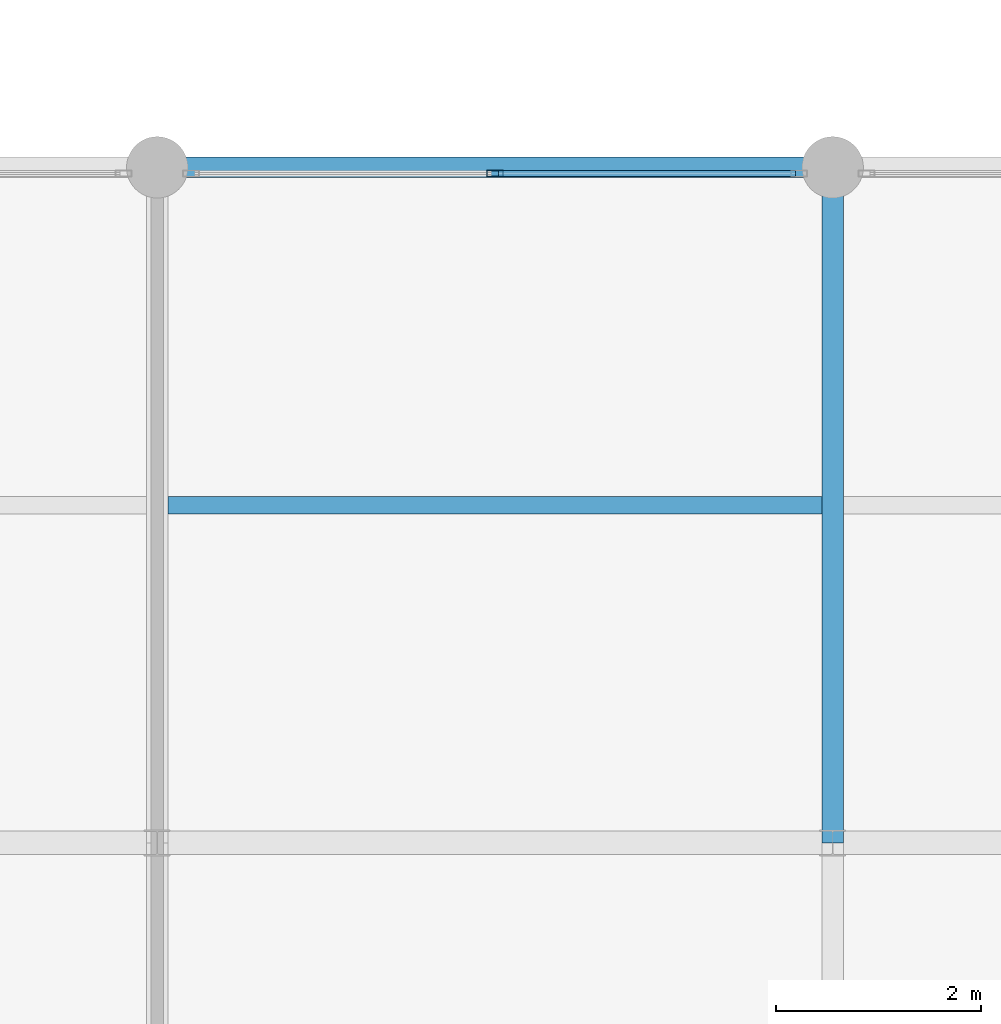
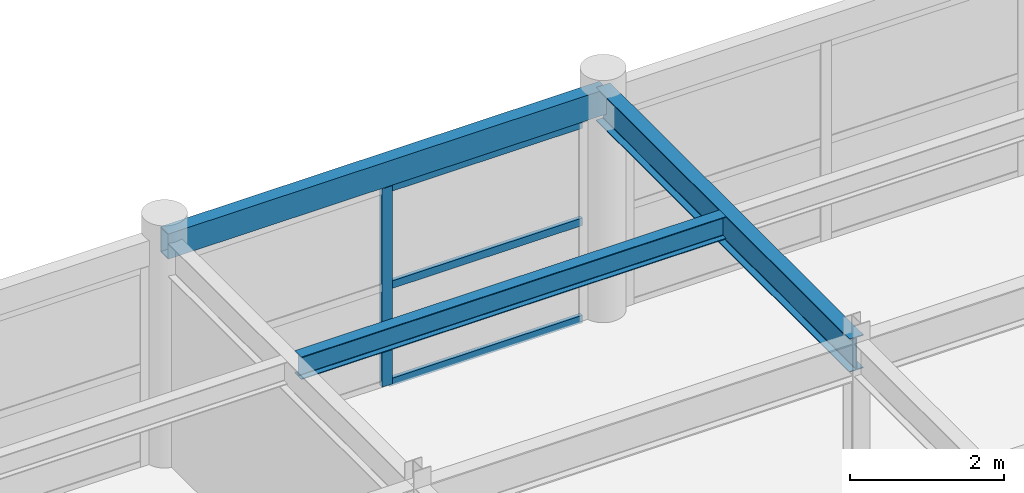
# One storey, part 8 of 28: 4 members, 3 beams, 1 element without a shape of its own.
"""IFC4 building model written with IfcOpenShell, lengths in metres."""

import ifcopenshell
import ifcopenshell.guid

model = None  # the IFC model being written
_history = None  # IfcOwnerHistory: only IFC2X3 demands one
_inside = {}  # id of a spatial element -> (the spatial element, [elements in it])
_under = {}  # id of a project, library or spatial element -> (it, [spatial elements below it])
_declared = {}  # id of a project -> (the project, [libraries it declares])
_typed = {}  # id of a type object -> (the type object, [elements of that type])
_made_of = {}  # id of a material, layer set ... -> (it, [elements and type objects made of it])


def new_model(schema):
    """Start an empty IFC model of exactly this schema.

    Asked for "IFC4X3", IfcOpenShell would pick the latest addendum, in which some entities
    have other attributes; the version numbers below select the first issue.
    IFC2X3 requires an IfcOwnerHistory on every rooted entity: one is made here for all.
    """
    global model, _history
    if schema == "IFC4X3":
        model = ifcopenshell.file(schema_version=(4, 3, 0, 0))
    else:
        model = ifcopenshell.file(schema=schema)
    _inside.clear()
    _under.clear()
    _declared.clear()
    _typed.clear()
    _made_of.clear()
    _history = None
    if model.schema == "IFC2X3":
        org = make("IfcOrganization", Name="unknown")
        user = make(
            "IfcPersonAndOrganization",
            ThePerson=make("IfcPerson", FamilyName="unknown"),
            TheOrganization=org,
        )
        app = make(
            "IfcApplication",
            ApplicationDeveloper=org,
            Version="unknown",
            ApplicationFullName="unknown",
            ApplicationIdentifier="unknown",
        )
        _history = make(
            "IfcOwnerHistory",
            OwningUser=user,
            OwningApplication=app,
            ChangeAction="ADDED",
            CreationDate=0,
        )
    return model


def make(cls, **values):
    """One entity of the class cls with the attributes given. An attribute that is None is left unset."""
    return model.create_entity(
        cls, **{name: value for name, value in values.items() if value is not None}
    )


def rooted(cls, **values):
    """An entity with a GlobalId (a new one), such as an element, a storey or a relation."""
    return make(cls, GlobalId=ifcopenshell.guid.new(), OwnerHistory=_history, **values)


def si_unit(unit_type, name, prefix=None):
    """IfcSIUnit, for example si_unit("LENGTHUNIT", "METRE", prefix="MILLI")."""
    return make("IfcSIUnit", UnitType=unit_type, Prefix=prefix, Name=name)


def assignment(units):
    """IfcUnitAssignment: the units of a project."""
    return None if units is None else make("IfcUnitAssignment", Units=units)


def point(xyz):
    """IfcCartesianPoint."""
    return None if xyz is None else make("IfcCartesianPoint", Coordinates=xyz)


def direction(xyz):
    """IfcDirection."""
    return None if xyz is None else make("IfcDirection", DirectionRatios=xyz)


def frame(location, z_axis=None, x_axis=None):
    """IfcAxis2Placement3D, a coordinate frame: its origin and axes. An axis left out is left unset."""
    return make(
        "IfcAxis2Placement3D",
        Location=point(location),
        Axis=direction(z_axis),
        RefDirection=direction(x_axis),
    )


def frame_2d(location, x_axis=None):
    """IfcAxis2Placement2D, a coordinate frame in the plane: its origin and x axis."""
    return make(
        "IfcAxis2Placement2D", Location=point(location), RefDirection=direction(x_axis)
    )


def origin():
    """The frame at (0, 0, 0) with its axes left unset."""
    return frame((0.0, 0.0, 0.0))


def origin_2d():
    """The frame at (0, 0) in the plane with its x axis left unset."""
    return frame_2d((0.0, 0.0))


def place(relative_to, where):
    """IfcLocalPlacement: puts the frame where relative to a parent placement (None: the world)."""
    return make(
        "IfcLocalPlacement", PlacementRelTo=relative_to, RelativePlacement=where
    )


def context(
    kind, dimensions, precision=None, world=None, true_north=None, identifier=None
):
    """IfcGeometricRepresentationContext, for example the 3D "Model" context."""
    return make(
        "IfcGeometricRepresentationContext",
        ContextIdentifier=identifier,
        ContextType=kind,
        CoordinateSpaceDimension=dimensions,
        Precision=precision,
        WorldCoordinateSystem=world,
        TrueNorth=true_north,
    )


def subcontext(parent, identifier, kind, view, scale=None):
    """IfcGeometricRepresentationSubContext, for example "Body" below "Model"."""
    return make(
        "IfcGeometricRepresentationSubContext",
        ContextIdentifier=identifier,
        ContextType=kind,
        ParentContext=parent,
        TargetScale=scale,
        TargetView=view,
    )


def project(units=None, contexts=None):
    """IfcProject with its units and contexts."""
    return rooted(
        "IfcProject",
        Name="project",
        RepresentationContexts=contexts,
        UnitsInContext=assignment(units),
    )


def spatial(cls, under=None, at=None, **own):
    """A site, building, storey or space (cls), placed at a placement, below another one or the project."""
    s = rooted(cls, ObjectPlacement=at, **own)
    if under is not None:
        _under.setdefault(under.id(), (under, []))[1].append(s)
    return s


def profile(cls, at=None, kind="AREA", **sizes):
    """A parametric profile (cls). Its sizes go by their IFC names, for example OverallWidth=200.0."""
    return make(cls, ProfileType=kind, Position=at, **sizes)


def hollow_rectangle(**sizes):
    """IfcRectangleHollowProfileDef."""
    return profile("IfcRectangleHollowProfileDef", **sizes)


def i_section(**sizes):
    """IfcIShapeProfileDef."""
    return profile("IfcIShapeProfileDef", **sizes)


def extrude(swept, where, along, depth):
    """IfcExtrudedAreaSolid: the profile swept, set in the frame where, extruded along a direction by depth."""
    return make(
        "IfcExtrudedAreaSolid",
        SweptArea=swept,
        Position=where,
        ExtrudedDirection=direction(along),
        Depth=depth,
    )


def shape(context_of_items, identifier, shape_type, items):
    """IfcShapeRepresentation: the items that make up one representation, for example the "Body"."""
    return make(
        "IfcShapeRepresentation",
        ContextOfItems=context_of_items,
        RepresentationIdentifier=identifier,
        RepresentationType=shape_type,
        Items=items,
    )


def material(Name=None, Category=None):
    """IfcMaterial."""
    return make("IfcMaterial", Name=Name, Category=Category)


def material_profile(
    of_material, cross_section, Name=None, Category=None, Priority=None
):
    """IfcMaterialProfile: a cross section and its material."""
    return make(
        "IfcMaterialProfile",
        Name=Name,
        Material=of_material,
        Profile=cross_section,
        Priority=Priority,
        Category=Category,
    )


def profile_set(profiles, Name=None, composite=None):
    """IfcMaterialProfileSet."""
    return make(
        "IfcMaterialProfileSet",
        Name=Name,
        MaterialProfiles=profiles,
        CompositeProfile=composite,
    )


def made_of(thing, what):
    """Note that an element or type object is made of a material, layer set ...; save() writes the relation."""
    if what is not None:
        _made_of.setdefault(what.id(), (what, []))[1].append(thing)
    return thing


def type_object(cls, material=None, **own):
    """A type object (cls), such as IfcWallType, which elements share."""
    return made_of(rooted(cls, **own), material)


def element(
    cls,
    number,
    at=None,
    inside=None,
    cuts=None,
    type_object=None,
    material=None,
    context=None,
    identifier="Body",
    shape_type=None,
    held_by="IfcProductDefinitionShape",
    body=None,
    shapes=None,
    **own,
):
    """One element of the class cls, such as IfcWall. Its Tag is "e" and its number.

    at: its placement. inside: the storey or other place that contains it. cuts: it is an
    opening in that element (IfcRelVoidsElement). A single representation is given by context,
    identifier, shape_type and body (its items); several are given by shapes. held_by: the class
    of the entity that holds the representations. save() writes the other relations.
    """
    e = rooted(cls, Tag="e%d" % number, ObjectPlacement=at, **own)
    if body is not None:
        shapes = [shape(context, identifier, shape_type, body)]
    if shapes is not None:
        e.Representation = make(held_by, Representations=shapes)
    if inside is not None:
        _inside.setdefault(inside.id(), (inside, []))[1].append(e)
    if cuts is not None:
        rooted(
            "IfcRelVoidsElement", RelatingBuildingElement=cuts, RelatedOpeningElement=e
        )
    if type_object is not None:
        _typed.setdefault(type_object.id(), (type_object, []))[1].append(e)
    return made_of(e, material)


def aggregate(whole, parts):
    """IfcRelAggregates: a whole, such as a stair, and the parts it consists of."""
    return rooted("IfcRelAggregates", RelatingObject=whole, RelatedObjects=parts)


def save(model, path):
    """Write the relations noted so far, then the file.

    IfcRelAggregates (storeys below a building ...), IfcRelContainedInSpatialStructure (elements
    in a storey), IfcRelDefinesByType, IfcRelAssociatesMaterial and IfcRelDeclares: one each for
    every whole, place, type object, material and project.
    """
    for whole, parts in _under.values():
        aggregate(whole, parts)
    for where, things in _inside.values():
        rooted(
            "IfcRelContainedInSpatialStructure",
            RelatedElements=things,
            RelatingStructure=where,
        )
    for kind, things in _typed.values():
        rooted("IfcRelDefinesByType", RelatedObjects=things, RelatingType=kind)
    for what, things in _made_of.values():
        rooted("IfcRelAssociatesMaterial", RelatedObjects=things, RelatingMaterial=what)
    for by, libraries in _declared.values():
        rooted("IfcRelDeclares", RelatingContext=by, RelatedDefinitions=libraries)
    model.write(path)


model = new_model("IFC4")

# Units and contexts
model_context = context("Model", 3, precision=1e-05, world=origin(), true_north=direction((0.0, 1.0)))
body_context = subcontext(model_context, "Body", "Model", "MODEL_VIEW")
ifc_project = project(units=[si_unit("LENGTHUNIT", "METRE"), si_unit("AREAUNIT", "SQUARE_METRE"), si_unit("VOLUMEUNIT", "CUBIC_METRE"), si_unit("PLANEANGLEUNIT", "RADIAN"), si_unit("MASSUNIT", "GRAM", prefix="KILO")], contexts=[model_context])

# Site, building, storey
site_placement = place(None, origin())
site = spatial("IfcSite", under=ifc_project, at=site_placement, CompositionType="ELEMENT")
building_placement = place(site_placement, origin())
building = spatial("IfcBuilding", under=site, at=building_placement, Name="Karori Crest Natural Sciences Institute", CompositionType="ELEMENT")
storey_placement = place(building_placement, frame((0.0, 0.0, 34.300048828125)))
storey = spatial("IfcBuildingStorey", under=building, at=storey_placement, Name="L08", CompositionType="ELEMENT", Elevation=34.300048828125)

# Beams
ifc_material_1 = material(Name="Structural steel AS/NZS 3679.1 Grade 350", Category="steel")
ifc_material_profile_1 = material_profile(ifc_material_1, i_section(OverallWidth=0.208984375, OverallDepth=0.532958984375, WebThickness=0.01025390625, FlangeThickness=0.015625, FilletRadius=0.013916015625, at=origin_2d()), Name="530UB92.4")
ifc_profile_set_1 = profile_set([ifc_material_profile_1], Name="Structural steel AS/NZS 3679.1 Grade 350")
beam_type_1 = type_object("IfcBeamType", Name="BT-05", PredefinedType="BEAM", material=ifc_profile_set_1)
beam_1_placement = place(storey_placement, frame((123.39990234375, 14.0, 3.303466796875), z_axis=(0.0, 1.0, 0.0), x_axis=(-1.0, 0.0, 0.0)))
element("IfcBeam", 1, at=beam_1_placement, inside=storey, type_object=beam_type_1, Name="Beam B-2732", PredefinedType="BEAM", context=body_context, shape_type="SweptSolid", body=[
    extrude(i_section(OverallWidth=0.208984375, OverallDepth=0.532958984375, WebThickness=0.01025390625, FlangeThickness=0.015625, FilletRadius=0.013916015625, at=origin_2d()), origin(), (0.0, 0.0, 1.0), 6.60009765625),
])
ifc_material_profile_2 = material_profile(ifc_material_1, i_section(OverallWidth=0.172119140625, OverallDepth=0.35888671875, WebThickness=0.008056640625, FlangeThickness=0.012939453125, FilletRadius=0.010986328125, at=origin_2d()), Name="360UB56.7")
ifc_profile_set_2 = profile_set([ifc_material_profile_2], Name="Structural steel AS/NZS 3679.1 Grade 350")
beam_type_2 = type_object("IfcBeamType", Name="BT-08", PredefinedType="BEAM", material=ifc_profile_set_2)
beam_2_placement = place(storey_placement, frame((116.904541015625, 17.300048828125, 3.390380859375), z_axis=(1.0, 0.0, 0.0), x_axis=(0.0, 1.0, 0.0)))
element("IfcBeam", 2, at=beam_2_placement, inside=storey, type_object=beam_type_2, Name="Beam B-2751", PredefinedType="BEAM", context=body_context, shape_type="SweptSolid", body=[
    extrude(i_section(OverallWidth=0.172119140625, OverallDepth=0.35888671875, WebThickness=0.008056640625, FlangeThickness=0.012939453125, FilletRadius=0.010986328125, at=origin_2d()), origin(), (0.0, 0.0, 1.0), 6.390869140625),
])
ifc_material_2 = material(Name="Hollow structural steel AS/NZS 1163 Grade C350", Category="steel")
ifc_material_profile_3 = material_profile(ifc_material_2, hollow_rectangle(XDim=0.199951171875, YDim=0.39990234375, WallThickness=0.012451171875, at=origin_2d()), Name="RHS400x200x12.5")
ifc_profile_set_3 = profile_set([ifc_material_profile_3], Name="Hollow structural steel AS/NZS 1163 Grade C350")
beam_type_3 = type_object("IfcBeamType", Name="BT-14", PredefinedType="SPANDREL", material=ifc_profile_set_3)
beam_3_placement = place(storey_placement, frame((116.800048828125, 20.60009765625, 3.369873046875), z_axis=(1.0, 0.0, 0.0), x_axis=(0.0, 1.0, 0.0)))
element("IfcBeam", 3, at=beam_3_placement, inside=storey, type_object=beam_type_3, Name="Beam B-2716", PredefinedType="SPANDREL", context=body_context, shape_type="SweptSolid", body=[
    extrude(hollow_rectangle(XDim=0.199951171875, YDim=0.39990234375, WallThickness=0.012451171875, at=origin_2d()), origin(), (0.0, 0.0, 1.0), 6.599853515625),
])

# Curtain wall, members
ifc_material_3 = material(Name="Anodised architectural aluminium 6063-T6", Category="aluminium")
curtain_wall_type = type_object("IfcCurtainWallType", Name="CWT-20", PredefinedType="NOTDEFINED", material=ifc_material_3)
curtain_wall_placement = place(storey_placement, origin())
curtain_wall = element("IfcCurtainWall", 4, at=curtain_wall_placement, inside=storey, type_object=curtain_wall_type, Name="Curtain wall CW-0367", PredefinedType="NOTDEFINED")
ifc_material_profile_4 = material_profile(ifc_material_3, hollow_rectangle(XDim=0.06494140625, YDim=0.159912109375, WallThickness=0.00390625, at=origin_2d()), Name="CWM160x65x4")
ifc_profile_set_4 = profile_set([ifc_material_profile_4], Name="Anodised architectural aluminium 6063-T6")
member_type_1 = type_object("IfcMemberType", Name="CWM-01", PredefinedType="MULLION", material=ifc_profile_set_4)
member_1_placement = place(storey_placement, frame((120.10009765625, 20.5400390625, 0.0), z_axis=(0.0, 0.0, 1.0), x_axis=(0.0, 1.0, 0.0)))
member_1 = element("IfcMember", 5, at=member_1_placement, type_object=member_type_1, Name="CW-0367 mullion 2", PredefinedType="MULLION", context=body_context, shape_type="SweptSolid", body=[
    extrude(hollow_rectangle(XDim=0.06494140625, YDim=0.159912109375, WallThickness=0.00390625, at=origin_2d()), origin(), (0.0, 0.0, 1.0), 3.155029296875),
])
ifc_material_profile_5 = material_profile(ifc_material_3, hollow_rectangle(XDim=0.06005859375, YDim=0.1201171875, WallThickness=0.00390625, at=origin_2d()), Name="CWT120x60x4")
ifc_profile_set_5 = profile_set([ifc_material_profile_5], Name="Anodised architectural aluminium 6063-T6")
member_type_2 = type_object("IfcMemberType", Name="CWT-TR1", PredefinedType="USERDEFINED", material=ifc_profile_set_5)
member_2_placement = place(storey_placement, frame((120.132568359375, 20.5400390625, 0.030029296875), z_axis=(1.0, 0.0, 0.0), x_axis=(0.0, 1.0, 0.0)))
member_2 = element("IfcMember", 6, at=member_2_placement, type_object=member_type_2, Name="CW-0367 transom 2.1", ObjectType="TRANSOM", PredefinedType="USERDEFINED", context=body_context, shape_type="SweptSolid", body=[
    extrude(hollow_rectangle(XDim=0.06005859375, YDim=0.1201171875, WallThickness=0.00390625, at=origin_2d()), origin(), (0.0, 0.0, 1.0), 2.904541015625),
])
member_3_placement = place(storey_placement, frame((120.132568359375, 20.5400390625, 1.577392578125), z_axis=(1.0, 0.0, 0.0), x_axis=(0.0, 1.0, 0.0)))
member_3 = element("IfcMember", 7, at=member_3_placement, type_object=member_type_2, Name="CW-0367 transom 2.2", ObjectType="TRANSOM", PredefinedType="USERDEFINED", context=body_context, shape_type="SweptSolid", body=[
    extrude(hollow_rectangle(XDim=0.06005859375, YDim=0.1201171875, WallThickness=0.00390625, at=origin_2d()), origin(), (0.0, 0.0, 1.0), 2.904541015625),
])
member_4_placement = place(storey_placement, frame((120.132568359375, 20.5400390625, 3.125), z_axis=(1.0, 0.0, 0.0), x_axis=(0.0, 1.0, 0.0)))
member_4 = element("IfcMember", 8, at=member_4_placement, type_object=member_type_2, Name="CW-0367 transom 2.3", ObjectType="TRANSOM", PredefinedType="USERDEFINED", context=body_context, shape_type="SweptSolid", body=[
    extrude(hollow_rectangle(XDim=0.06005859375, YDim=0.1201171875, WallThickness=0.00390625, at=origin_2d()), origin(), (0.0, 0.0, 1.0), 2.904541015625),
])
aggregate(curtain_wall, [member_1, member_2, member_3, member_4])

save(model, "model.ifc")
